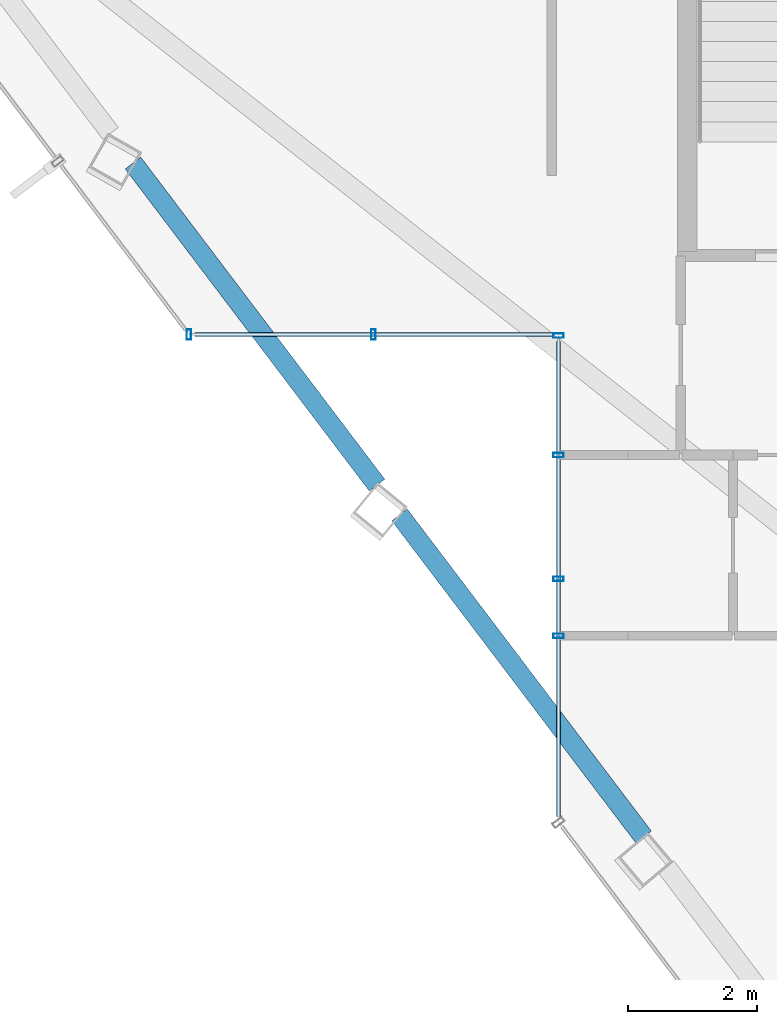
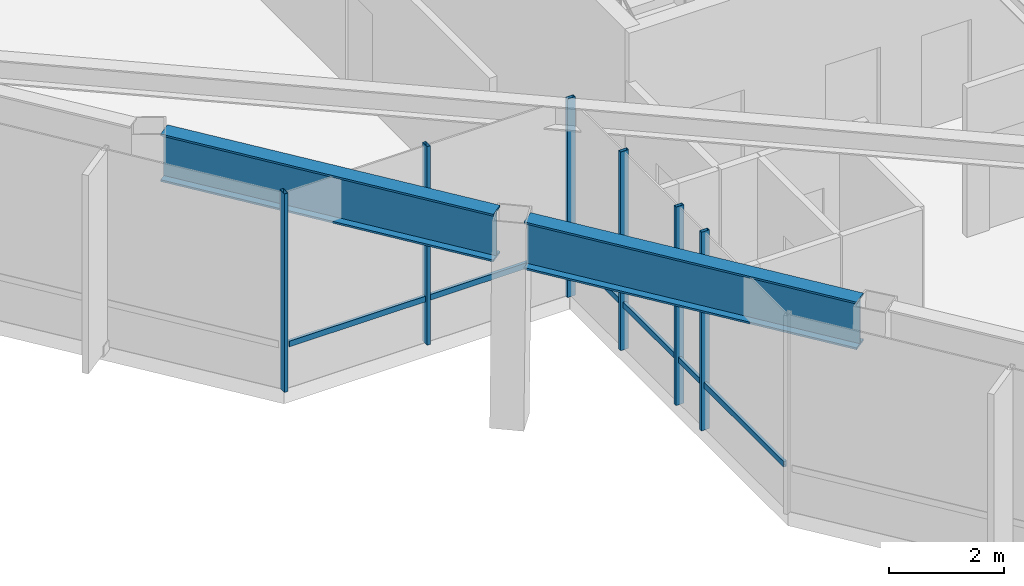
# One storey, part 3 of 22: 8 members, 2 beams, 2 elements without a shape of their own.
"""IFC4 building model written with IfcOpenShell, lengths in metres."""

from ifc_helpers import new_model, si_unit, direction, frame, origin, origin_2d, place, context, subcontext, project, spatial, hollow_rectangle, i_section, extrude, material, layer, layer_set, material_profile, profile_set, type_object, element, aggregate, save


model = new_model("IFC4")

# Units and contexts
model_context = context("Model", 3, precision=1e-05, world=origin(), true_north=direction((0.0, 1.0)))
body_context = subcontext(model_context, "Body", "Model", "MODEL_VIEW")
ifc_project = project(units=[si_unit("LENGTHUNIT", "METRE"), si_unit("AREAUNIT", "SQUARE_METRE"), si_unit("VOLUMEUNIT", "CUBIC_METRE"), si_unit("PLANEANGLEUNIT", "RADIAN"), si_unit("MASSUNIT", "GRAM", prefix="KILO")], contexts=[model_context])

# Site, building, storey
site_placement = place(None, origin())
site = spatial("IfcSite", under=ifc_project, at=site_placement, CompositionType="ELEMENT")
building_placement = place(site_placement, origin())
building = spatial("IfcBuilding", under=site, at=building_placement, Name="Zarrinselat Tower", CompositionType="ELEMENT")
storey_placement = place(building_placement, frame((0.0, 0.0, 204.340087890625)))
storey = spatial("IfcBuildingStorey", under=building, at=storey_placement, Name="L50", CompositionType="ELEMENT", Elevation=204.340087890625)

# Beams
ifc_material_1 = material(Name="Steel S460M", Category="steel")
ifc_material_profile_1 = material_profile(ifc_material_1, i_section(OverallWidth=0.302001953125, OverallDepth=1.008056640625, WebThickness=0.02099609375, FlangeThickness=0.0400390625, at=origin_2d()), Name="HEM 1000")
ifc_profile_set_1 = profile_set([ifc_material_profile_1], Name="Steel S460M")
beam_type = type_object("IfcBeamType", Name="BM-HEM1000", PredefinedType="BEAM", material=ifc_profile_set_1)
beam_1_placement = place(storey_placement, frame((20.069091796875, 34.6708984375, 3.69580078125), z_axis=(0.603869707238, -0.797083042525, 0.0), x_axis=(0.797083042525, 0.603869707238, 0.0)))
element("IfcBeam", 1, at=beam_1_placement, inside=storey, type_object=beam_type, Name="L50 Perimeter Spandrel Girder SP07", PredefinedType="BEAM", context=body_context, shape_type="SweptSolid", body=[
    extrude(i_section(OverallWidth=0.302001953125, OverallDepth=1.008056640625, WebThickness=0.02099609375, FlangeThickness=0.0400390625, at=origin_2d()), origin(), (0.0, 0.0, 1.0), 6.25732421875),
])
beam_2_placement = place(storey_placement, frame((24.1953125, 29.22412109375, 3.69580078125), z_axis=(0.603888487987, -0.797068813891, 0.0), x_axis=(0.797068813891, 0.603888487987, 0.0)))
element("IfcBeam", 2, at=beam_2_placement, inside=storey, type_object=beam_type, Name="L50 Perimeter Spandrel Girder SP08", PredefinedType="BEAM", context=body_context, shape_type="SweptSolid", body=[
    extrude(i_section(OverallWidth=0.302001953125, OverallDepth=1.008056640625, WebThickness=0.02099609375, FlangeThickness=0.0400390625, at=origin_2d()), origin(), (0.0, 0.0, 1.0), 6.257080078125),
])

# Curtain wall, members
ifc_material_2 = material(Name="Extruded Aluminium Alloy EN AW-6063 T6", Category="aluminium")
ifc_layer = layer(ifc_material_2, 0.18994140625)
ifc_layer_set = layer_set([ifc_layer], Name="Extruded Aluminium Alloy EN AW-6063 T6")
curtain_wall_type = type_object("IfcCurtainWallType", Name="CWS-SG", PredefinedType="NOTDEFINED", material=ifc_layer_set)
curtain_wall_1_placement = place(storey_placement, origin())
curtain_wall_1 = element("IfcCurtainWall", 3, at=curtain_wall_1_placement, inside=storey, type_object=curtain_wall_type, Name="L50 Unitised Curtain Wall CW-L50-E07", PredefinedType="NOTDEFINED")
ifc_material_3 = material(Name="Extruded Aluminium Alloy EN AW-6063 T6", Category="aluminium")
ifc_material_profile_2 = material_profile(ifc_material_3, hollow_rectangle(XDim=0.070068359375, YDim=0.159912109375, WallThickness=0.00390625, at=origin_2d()), Name="RHS 160x70x4")
ifc_profile_set_2 = profile_set([ifc_material_profile_2], Name="Extruded Aluminium Alloy EN AW-6063 T6")
member_type_1 = type_object("IfcMemberType", Name="MEM-CW-MUL2", PredefinedType="MULLION", material=ifc_profile_set_2)
member_1_placement = place(storey_placement, frame((26.65771484375, 27.35009765625, 0.0), z_axis=(0.0, 0.0, 1.0), x_axis=(0.0, 1.0, 0.0)))
member_1 = element("IfcMember", 4, at=member_1_placement, type_object=member_type_1, Name="CW-L50-E07 Mullion 1", PredefinedType="MULLION", context=body_context, shape_type="SweptSolid", body=[
    extrude(hollow_rectangle(XDim=0.070068359375, YDim=0.159912109375, WallThickness=0.00390625, at=origin_2d()), origin(), (0.0, 0.0, 1.0), 4.199951171875),
])
member_2_placement = place(storey_placement, frame((26.65771484375, 28.231201171875, 0.0), z_axis=(0.0, 0.0, 1.0), x_axis=(0.0, 1.0, 0.0)))
member_2 = element("IfcMember", 5, at=member_2_placement, type_object=member_type_1, Name="CW-L50-E07 Mullion 2", PredefinedType="MULLION", context=body_context, shape_type="SweptSolid", body=[
    extrude(hollow_rectangle(XDim=0.070068359375, YDim=0.159912109375, WallThickness=0.00390625, at=origin_2d()), origin(), (0.0, 0.0, 1.0), 4.199951171875),
])
member_3_placement = place(storey_placement, frame((26.65771484375, 30.14990234375, 0.0), z_axis=(0.0, 0.0, 1.0), x_axis=(0.0, 1.0, 0.0)))
member_3 = element("IfcMember", 6, at=member_3_placement, type_object=member_type_1, Name="CW-L50-E07 Mullion 3", PredefinedType="MULLION", context=body_context, shape_type="SweptSolid", body=[
    extrude(hollow_rectangle(XDim=0.070068359375, YDim=0.159912109375, WallThickness=0.00390625, at=origin_2d()), origin(), (0.0, 0.0, 1.0), 4.199951171875),
])
member_4_placement = place(storey_placement, frame((26.65771484375, 32.0, 0.0), z_axis=(0.0, 0.0, 1.0), x_axis=(0.0, 1.0, 0.0)))
member_4 = element("IfcMember", 7, at=member_4_placement, type_object=member_type_1, Name="CW-L50-E07 Mullion 4", PredefinedType="MULLION", context=body_context, shape_type="SweptSolid", body=[
    extrude(hollow_rectangle(XDim=0.070068359375, YDim=0.159912109375, WallThickness=0.00390625, at=origin_2d()), origin(), (0.0, 0.0, 1.0), 4.199951171875),
])

curtain_wall_2_placement = place(storey_placement, origin())
curtain_wall_2 = element("IfcCurtainWall", 8, at=curtain_wall_2_placement, inside=storey, type_object=curtain_wall_type, Name="L50 Unitised Curtain Wall CW-L50-E24", PredefinedType="NOTDEFINED")
member_5_placement = place(storey_placement, frame((23.789306640625, 32.014892578125, 0.0), z_axis=(0.0, 0.0, 1.0), x_axis=(-1.0, 0.0, 0.0)))
member_5 = element("IfcMember", 9, at=member_5_placement, type_object=member_type_1, Name="CW-L50-E24 Mullion 1", PredefinedType="MULLION", context=body_context, shape_type="SweptSolid", body=[
    extrude(hollow_rectangle(XDim=0.070068359375, YDim=0.159912109375, WallThickness=0.00390625, at=origin_2d()), origin(), (0.0, 0.0, 1.0), 4.199951171875),
])
member_6_placement = place(storey_placement, frame((20.935791015625, 32.014892578125, 0.0), z_axis=(0.0, 0.0, 1.0), x_axis=(-1.0, 0.0, 0.0)))
member_6 = element("IfcMember", 10, at=member_6_placement, type_object=member_type_1, Name="CW-L50-E24 Mullion 2", PredefinedType="MULLION", context=body_context, shape_type="SweptSolid", body=[
    extrude(hollow_rectangle(XDim=0.070068359375, YDim=0.159912109375, WallThickness=0.00390625, at=origin_2d()), origin(), (0.0, 0.0, 1.0), 4.199951171875),
])

# Member
ifc_material_4 = material(Name="Extruded Aluminium Alloy EN AW-6063 T6", Category="aluminium")
ifc_material_profile_3 = material_profile(ifc_material_4, hollow_rectangle(XDim=0.06005859375, YDim=0.1201171875, WallThickness=0.00390625, at=origin_2d()), Name="RHS 120x60x4")
ifc_profile_set_3 = profile_set([ifc_material_profile_3], Name="Extruded Aluminium Alloy EN AW-6063 T6")
member_type_2 = type_object("IfcMemberType", Name="MEM-CW-TRN2", PredefinedType="USERDEFINED", material=ifc_profile_set_3)
member_7_placement = place(storey_placement, frame((26.65771484375, 24.552001953125, 0.949951171875), z_axis=(0.0, 1.0, 0.0), x_axis=(-1.0, 0.0, 0.0)))
member_7 = element("IfcMember", 11, at=member_7_placement, type_object=member_type_2, Name="CW-L50-E07 Transom 1", ObjectType="TRANSOM", PredefinedType="USERDEFINED", context=body_context, shape_type="SweptSolid", body=[
    extrude(hollow_rectangle(XDim=0.06005859375, YDim=0.1201171875, WallThickness=0.00390625, at=origin_2d()), origin(), (0.0, 0.0, 1.0), 7.35791015625),
])

aggregate(curtain_wall_1, [member_1, member_2, member_3, member_4, member_7])

member_8_placement = place(storey_placement, frame((26.552734375, 32.014892578125, 0.949951171875), z_axis=(-1.0, 0.0, 0.0), x_axis=(0.0, -1.0, 0.0)))
member_8 = element("IfcMember", 12, at=member_8_placement, type_object=member_type_2, Name="CW-L50-E24 Transom 1", ObjectType="TRANSOM", PredefinedType="USERDEFINED", context=body_context, shape_type="SweptSolid", body=[
    extrude(hollow_rectangle(XDim=0.06005859375, YDim=0.1201171875, WallThickness=0.00390625, at=origin_2d()), origin(), (0.0, 0.0, 1.0), 5.52685546875),
])

aggregate(curtain_wall_2, [member_5, member_6, member_8])

save(model, "model.ifc")
